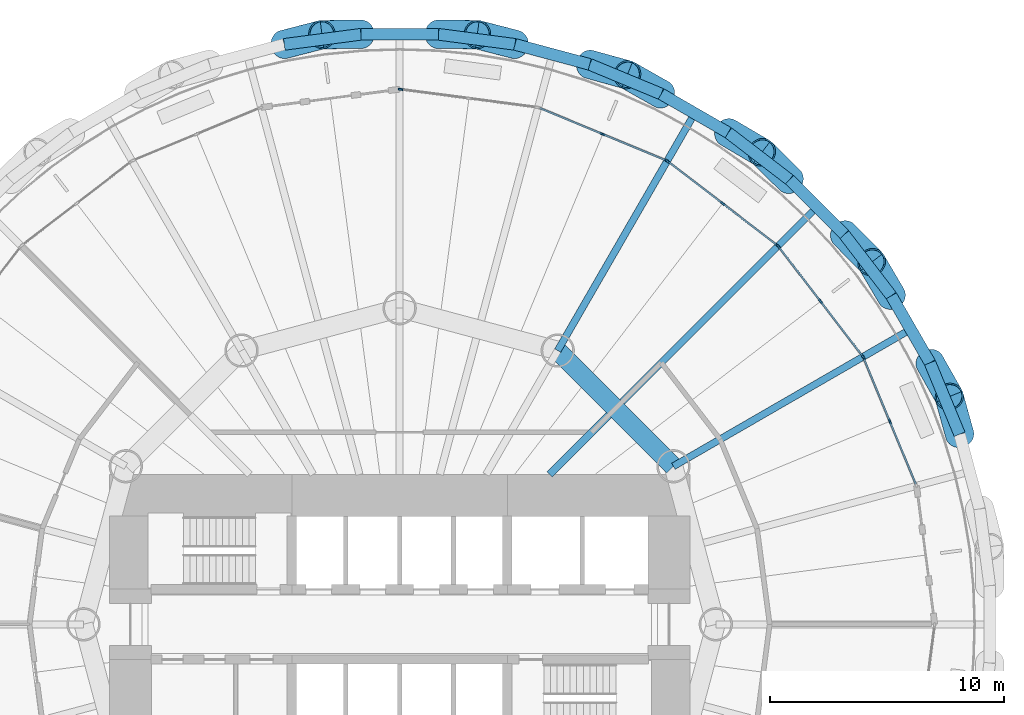
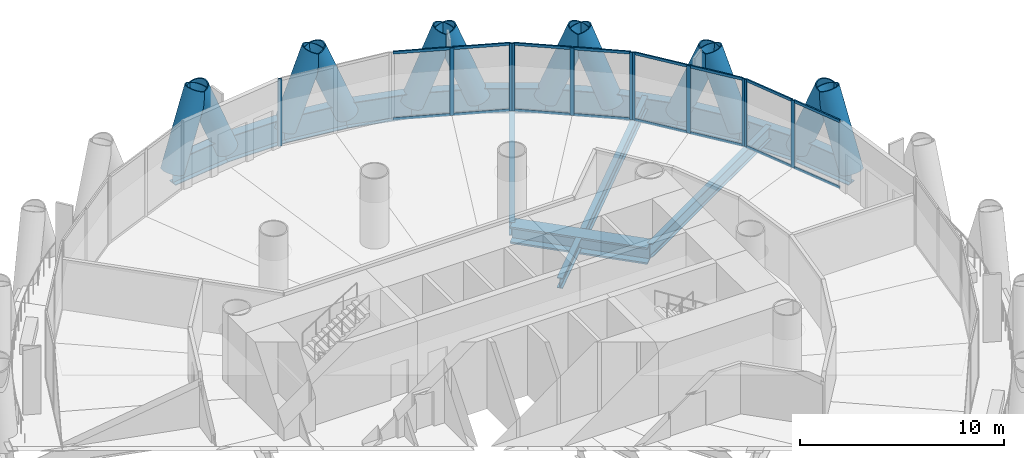
# One storey, part 7 of 16: 39 members, 16 beams, 5 elements without a shape of their own.
"""IFC4 building model written with IfcOpenShell, lengths in metres."""

from ifc_helpers import new_model, si_unit, direction, frame, origin, origin_2d, place, context, subcontext, project, spatial, rectangle, hollow_circle, i_section, extrude, material, material_profile, profile_set, type_object, element, aggregate, save


model = new_model("IFC4")

# Units and contexts
model_context = context("Model", 3, precision=1e-05, world=origin(), true_north=direction((0.0, 1.0)))
body_context = subcontext(model_context, "Body", "Model", "MODEL_VIEW")
ifc_project = project(units=[si_unit("LENGTHUNIT", "METRE"), si_unit("AREAUNIT", "SQUARE_METRE"), si_unit("VOLUMEUNIT", "CUBIC_METRE"), si_unit("PLANEANGLEUNIT", "RADIAN"), si_unit("MASSUNIT", "GRAM", prefix="KILO")], contexts=[model_context])

# Site, building, storey
site_placement = place(None, origin())
site = spatial("IfcSite", under=ifc_project, at=site_placement, CompositionType="ELEMENT")
building_placement = place(site_placement, origin())
building = spatial("IfcBuilding", under=site, at=building_placement, Name="Qaws Media Tower", CompositionType="ELEMENT")
storey_placement = place(building_placement, frame((0.0, 0.0, 63.800048828125)))
storey = spatial("IfcBuildingStorey", under=building, at=storey_placement, Name="L13", CompositionType="ELEMENT", Elevation=63.800048828125)

# Curtain wall, members
ifc_material_1 = material(Name="Aluminium and clear glass", Category="aluminium")
curtain_wall_type = type_object("IfcCurtainWallType", Name="Unitised curtain wall CW-A", PredefinedType="NOTDEFINED", material=ifc_material_1)
curtain_wall_1_placement = place(storey_placement, origin())
curtain_wall_1 = element("IfcCurtainWall", 1, at=curtain_wall_1_placement, inside=storey, type_object=curtain_wall_type, Name="CWA curtain wall L13-02", PredefinedType="NOTDEFINED")
ifc_material_2 = material(Name="Aluminium mullion", Category="aluminium")
ifc_material_profile_1 = material_profile(ifc_material_2, rectangle(XDim=0.080078125, YDim=0.199951171875, at=origin_2d()), Name="80x200")
ifc_profile_set_1 = profile_set([ifc_material_profile_1], Name="Aluminium mullion")
member_type_1 = type_object("IfcMemberType", Name="Curtain wall mullion 80x200", PredefinedType="MULLION", material=ifc_profile_set_1)
member_1_placement = place(storey_placement, frame((80.929931640625, 58.66943359375, 0.0), z_axis=(0.0, 0.0, 1.0), x_axis=(-0.923879516448, -0.382683471145, 0.0)))
member_1 = element("IfcMember", 2, at=member_1_placement, type_object=member_type_1, Name="CWA mullion 2", PredefinedType="MULLION", context=body_context, shape_type="SweptSolid", body=[
    extrude(rectangle(XDim=0.080078125, YDim=0.199951171875, at=origin_2d()), origin(), (0.0, 0.0, 1.0), 4.0400390625),
])
member_2_placement = place(storey_placement, frame((79.803955078125, 61.387939453125, 0.0), z_axis=(0.0, 0.0, 1.0), x_axis=(-0.923879516448, -0.382683471145, 0.0)))
member_2 = element("IfcMember", 3, at=member_2_placement, type_object=member_type_1, Name="CWA mullion 3", PredefinedType="MULLION", context=body_context, shape_type="SweptSolid", body=[
    extrude(rectangle(XDim=0.080078125, YDim=0.199951171875, at=origin_2d()), origin(), (0.0, 0.0, 1.0), 4.0400390625),
])

curtain_wall_2_placement = place(storey_placement, origin())
curtain_wall_2 = element("IfcCurtainWall", 4, at=curtain_wall_2_placement, inside=storey, type_object=curtain_wall_type, Name="CWA curtain wall L13-03", PredefinedType="NOTDEFINED")
member_3_placement = place(storey_placement, frame((79.764404296875, 61.456787109375, 0.0), z_axis=(0.0, 0.0, 1.0), x_axis=(-0.79335338601, -0.608761369427, 0.0)))
member_3 = element("IfcMember", 5, at=member_3_placement, type_object=member_type_1, Name="CWA mullion 1", PredefinedType="MULLION", context=body_context, shape_type="SweptSolid", body=[
    extrude(rectangle(XDim=0.080078125, YDim=0.199951171875, at=origin_2d()), origin(), (0.0, 0.0, 1.0), 4.0400390625),
])
member_4_placement = place(storey_placement, frame((77.97314453125, 63.791259765625, 0.0), z_axis=(0.0, 0.0, 1.0), x_axis=(-0.79335338601, -0.608761369427, 0.0)))
member_4 = element("IfcMember", 6, at=member_4_placement, type_object=member_type_1, Name="CWA mullion 2", PredefinedType="MULLION", context=body_context, shape_type="SweptSolid", body=[
    extrude(rectangle(XDim=0.080078125, YDim=0.199951171875, at=origin_2d()), origin(), (0.0, 0.0, 1.0), 4.0400390625),
])
member_5_placement = place(storey_placement, frame((76.181640625, 66.125732421875, 0.0), z_axis=(0.0, 0.0, 1.0), x_axis=(-0.79335338601, -0.608761369427, 0.0)))
member_5 = element("IfcMember", 7, at=member_5_placement, type_object=member_type_1, Name="CWA mullion 3", PredefinedType="MULLION", context=body_context, shape_type="SweptSolid", body=[
    extrude(rectangle(XDim=0.080078125, YDim=0.199951171875, at=origin_2d()), origin(), (0.0, 0.0, 1.0), 4.0400390625),
])

curtain_wall_3_placement = place(storey_placement, origin())
curtain_wall_3 = element("IfcCurtainWall", 8, at=curtain_wall_3_placement, inside=storey, type_object=curtain_wall_type, Name="CWA curtain wall L13-04", PredefinedType="NOTDEFINED")
member_6_placement = place(storey_placement, frame((76.125732421875, 66.181640625, 0.0), z_axis=(0.0, 0.0, 1.0), x_axis=(-0.608761369427, -0.79335338601, 0.0)))
member_6 = element("IfcMember", 9, at=member_6_placement, type_object=member_type_1, Name="CWA mullion 1", PredefinedType="MULLION", context=body_context, shape_type="SweptSolid", body=[
    extrude(rectangle(XDim=0.080078125, YDim=0.199951171875, at=origin_2d()), origin(), (0.0, 0.0, 1.0), 4.0400390625),
])
member_7_placement = place(storey_placement, frame((73.791259765625, 67.97314453125, 0.0), z_axis=(0.0, 0.0, 1.0), x_axis=(-0.608761369427, -0.79335338601, 0.0)))
member_7 = element("IfcMember", 10, at=member_7_placement, type_object=member_type_1, Name="CWA mullion 2", PredefinedType="MULLION", context=body_context, shape_type="SweptSolid", body=[
    extrude(rectangle(XDim=0.080078125, YDim=0.199951171875, at=origin_2d()), origin(), (0.0, 0.0, 1.0), 4.0400390625),
])
member_8_placement = place(storey_placement, frame((71.456787109375, 69.764404296875, 0.0), z_axis=(0.0, 0.0, 1.0), x_axis=(-0.608761369427, -0.79335338601, 0.0)))
member_8 = element("IfcMember", 11, at=member_8_placement, type_object=member_type_1, Name="CWA mullion 3", PredefinedType="MULLION", context=body_context, shape_type="SweptSolid", body=[
    extrude(rectangle(XDim=0.080078125, YDim=0.199951171875, at=origin_2d()), origin(), (0.0, 0.0, 1.0), 4.0400390625),
])

curtain_wall_4_placement = place(storey_placement, origin())
curtain_wall_4 = element("IfcCurtainWall", 12, at=curtain_wall_4_placement, inside=storey, type_object=curtain_wall_type, Name="CWA curtain wall L13-05", PredefinedType="NOTDEFINED")
member_9_placement = place(storey_placement, frame((71.387939453125, 69.803955078125, 0.0), z_axis=(0.0, 0.0, 1.0), x_axis=(-0.382683471145, -0.923879516448, 0.0)))
member_9 = element("IfcMember", 13, at=member_9_placement, type_object=member_type_1, Name="CWA mullion 1", PredefinedType="MULLION", context=body_context, shape_type="SweptSolid", body=[
    extrude(rectangle(XDim=0.080078125, YDim=0.199951171875, at=origin_2d()), origin(), (0.0, 0.0, 1.0), 4.0400390625),
])
member_10_placement = place(storey_placement, frame((68.66943359375, 70.929931640625, 0.0), z_axis=(0.0, 0.0, 1.0), x_axis=(-0.382683471145, -0.923879516448, 0.0)))
member_10 = element("IfcMember", 14, at=member_10_placement, type_object=member_type_1, Name="CWA mullion 2", PredefinedType="MULLION", context=body_context, shape_type="SweptSolid", body=[
    extrude(rectangle(XDim=0.080078125, YDim=0.199951171875, at=origin_2d()), origin(), (0.0, 0.0, 1.0), 4.0400390625),
])

# Curtain wall, member
curtain_wall_5_placement = place(storey_placement, origin())
curtain_wall_5 = element("IfcCurtainWall", 15, at=curtain_wall_5_placement, inside=storey, type_object=curtain_wall_type, Name="CWA curtain wall L13-06", PredefinedType="NOTDEFINED")
member_11_placement = place(storey_placement, frame((60.03955078125, 72.8447265625, 0.0), z_axis=(0.0, 0.0, 1.0), x_axis=(-0.130526217674, -0.991444858023, 0.0)))
member_11 = element("IfcMember", 16, at=member_11_placement, type_object=member_type_1, Name="CWA mullion 3", PredefinedType="MULLION", context=body_context, shape_type="SweptSolid", body=[
    extrude(rectangle(XDim=0.080078125, YDim=0.199951171875, at=origin_2d()), origin(), (0.0, 0.0, 1.0), 4.0400390625),
])
aggregate(curtain_wall_5, [member_11])

# Member
ifc_material_3 = material(Name="Aluminium transom", Category="aluminium")
ifc_material_profile_2 = material_profile(ifc_material_3, rectangle(XDim=0.080078125, YDim=0.159912109375, at=origin_2d()), Name="80x160")
ifc_profile_set_2 = profile_set([ifc_material_profile_2], Name="Aluminium transom")
member_type_2 = type_object("IfcMemberType", Name="Curtain wall transom 80x160", PredefinedType="USERDEFINED", material=ifc_profile_set_2)
member_12_placement = place(storey_placement, frame((82.040771484375, 55.988037109375, 0.0400390625), z_axis=(-0.382700809207, 0.923872334596, 0.0), x_axis=(-0.923872334596, -0.382700809207, 0.0)))
member_12 = element("IfcMember", 17, at=member_12_placement, type_object=member_type_2, Name="CWA transom 1.1", ObjectType="TRANSOM", PredefinedType="USERDEFINED", context=body_context, shape_type="SweptSolid", body=[
    extrude(rectangle(XDim=0.080078125, YDim=0.159912109375, at=origin_2d()), origin(), (0.0, 0.0, 1.0), 2.862548828125),
])

member_13_placement = place(storey_placement, frame((82.040771484375, 55.988037109375, 4.0), z_axis=(-0.382700809207, 0.923872334596, 0.0), x_axis=(-0.923872334596, -0.382700809207, 0.0)))
member_13 = element("IfcMember", 18, at=member_13_placement, type_object=member_type_2, Name="CWA transom 1.2", ObjectType="TRANSOM", PredefinedType="USERDEFINED", context=body_context, shape_type="SweptSolid", body=[
    extrude(rectangle(XDim=0.080078125, YDim=0.159912109375, at=origin_2d()), origin(), (0.0, 0.0, 1.0), 2.862548828125),
])

member_14_placement = place(storey_placement, frame((80.914794921875, 58.70654296875, 0.0400390625), z_axis=(-0.382700809207, 0.923872334596, 0.0), x_axis=(-0.923872334596, -0.382700809207, 0.0)))
member_14 = element("IfcMember", 19, at=member_14_placement, type_object=member_type_2, Name="CWA transom 2.1", ObjectType="TRANSOM", PredefinedType="USERDEFINED", context=body_context, shape_type="SweptSolid", body=[
    extrude(rectangle(XDim=0.080078125, YDim=0.159912109375, at=origin_2d()), origin(), (0.0, 0.0, 1.0), 2.862548828125),
])

member_15_placement = place(storey_placement, frame((80.914794921875, 58.70654296875, 4.0), z_axis=(-0.382700809207, 0.923872334596, 0.0), x_axis=(-0.923872334596, -0.382700809207, 0.0)))
member_15 = element("IfcMember", 20, at=member_15_placement, type_object=member_type_2, Name="CWA transom 2.2", ObjectType="TRANSOM", PredefinedType="USERDEFINED", context=body_context, shape_type="SweptSolid", body=[
    extrude(rectangle(XDim=0.080078125, YDim=0.159912109375, at=origin_2d()), origin(), (0.0, 0.0, 1.0), 2.862548828125),
])

aggregate(curtain_wall_1, [member_1, member_2, member_12, member_13, member_14, member_15])

member_16_placement = place(storey_placement, frame((79.739990234375, 61.488525390625, 0.0400390625), z_axis=(-0.608778840543, 0.793339979648, 0.0), x_axis=(-0.793339979648, -0.608778840543, 0.0)))
member_16 = element("IfcMember", 21, at=member_16_placement, type_object=member_type_2, Name="CWA transom 1.1", ObjectType="TRANSOM", PredefinedType="USERDEFINED", context=body_context, shape_type="SweptSolid", body=[
    extrude(rectangle(XDim=0.080078125, YDim=0.159912109375, at=origin_2d()), origin(), (0.0, 0.0, 1.0), 2.862548828125),
])

member_17_placement = place(storey_placement, frame((79.739990234375, 61.488525390625, 4.0), z_axis=(-0.608778840543, 0.793339979648, 0.0), x_axis=(-0.793339979648, -0.608778840543, 0.0)))
member_17 = element("IfcMember", 22, at=member_17_placement, type_object=member_type_2, Name="CWA transom 1.2", ObjectType="TRANSOM", PredefinedType="USERDEFINED", context=body_context, shape_type="SweptSolid", body=[
    extrude(rectangle(XDim=0.080078125, YDim=0.159912109375, at=origin_2d()), origin(), (0.0, 0.0, 1.0), 2.862548828125),
])

member_18_placement = place(storey_placement, frame((77.94873046875, 63.822998046875, 0.0400390625), z_axis=(-0.608778840543, 0.793339979648, 0.0), x_axis=(-0.793339979648, -0.608778840543, 0.0)))
member_18 = element("IfcMember", 23, at=member_18_placement, type_object=member_type_2, Name="CWA transom 2.1", ObjectType="TRANSOM", PredefinedType="USERDEFINED", context=body_context, shape_type="SweptSolid", body=[
    extrude(rectangle(XDim=0.080078125, YDim=0.159912109375, at=origin_2d()), origin(), (0.0, 0.0, 1.0), 2.862548828125),
])

member_19_placement = place(storey_placement, frame((77.94873046875, 63.822998046875, 4.0), z_axis=(-0.608778840543, 0.793339979648, 0.0), x_axis=(-0.793339979648, -0.608778840543, 0.0)))
member_19 = element("IfcMember", 24, at=member_19_placement, type_object=member_type_2, Name="CWA transom 2.2", ObjectType="TRANSOM", PredefinedType="USERDEFINED", context=body_context, shape_type="SweptSolid", body=[
    extrude(rectangle(XDim=0.080078125, YDim=0.159912109375, at=origin_2d()), origin(), (0.0, 0.0, 1.0), 2.862548828125),
])

aggregate(curtain_wall_2, [member_3, member_4, member_5, member_16, member_17, member_18, member_19])

member_20_placement = place(storey_placement, frame((76.093994140625, 66.2060546875, 0.0400390625), z_axis=(-0.793339979648, 0.608778840543, 0.0), x_axis=(-0.608778840543, -0.793339979648, 0.0)))
member_20 = element("IfcMember", 25, at=member_20_placement, type_object=member_type_2, Name="CWA transom 1.1", ObjectType="TRANSOM", PredefinedType="USERDEFINED", context=body_context, shape_type="SweptSolid", body=[
    extrude(rectangle(XDim=0.080078125, YDim=0.159912109375, at=origin_2d()), origin(), (0.0, 0.0, 1.0), 2.862548828125),
])

member_21_placement = place(storey_placement, frame((76.093994140625, 66.2060546875, 4.0), z_axis=(-0.793339979648, 0.608778840543, 0.0), x_axis=(-0.608778840543, -0.793339979648, 0.0)))
member_21 = element("IfcMember", 26, at=member_21_placement, type_object=member_type_2, Name="CWA transom 1.2", ObjectType="TRANSOM", PredefinedType="USERDEFINED", context=body_context, shape_type="SweptSolid", body=[
    extrude(rectangle(XDim=0.080078125, YDim=0.159912109375, at=origin_2d()), origin(), (0.0, 0.0, 1.0), 2.862548828125),
])

member_22_placement = place(storey_placement, frame((73.759521484375, 67.997314453125, 0.0400390625), z_axis=(-0.793339979648, 0.608778840543, 0.0), x_axis=(-0.608778840543, -0.793339979648, 0.0)))
member_22 = element("IfcMember", 27, at=member_22_placement, type_object=member_type_2, Name="CWA transom 2.1", ObjectType="TRANSOM", PredefinedType="USERDEFINED", context=body_context, shape_type="SweptSolid", body=[
    extrude(rectangle(XDim=0.080078125, YDim=0.159912109375, at=origin_2d()), origin(), (0.0, 0.0, 1.0), 2.862548828125),
])

member_23_placement = place(storey_placement, frame((73.759521484375, 67.997314453125, 4.0), z_axis=(-0.793339979648, 0.608778840543, 0.0), x_axis=(-0.608778840543, -0.793339979648, 0.0)))
member_23 = element("IfcMember", 28, at=member_23_placement, type_object=member_type_2, Name="CWA transom 2.2", ObjectType="TRANSOM", PredefinedType="USERDEFINED", context=body_context, shape_type="SweptSolid", body=[
    extrude(rectangle(XDim=0.080078125, YDim=0.159912109375, at=origin_2d()), origin(), (0.0, 0.0, 1.0), 2.862548828125),
])

aggregate(curtain_wall_3, [member_6, member_7, member_8, member_20, member_21, member_22, member_23])

member_24_placement = place(storey_placement, frame((71.35107421875, 69.8193359375, 0.0400390625), z_axis=(-0.923872334596, 0.382700809207, 0.0), x_axis=(-0.382700809207, -0.923872334596, 0.0)))
member_24 = element("IfcMember", 29, at=member_24_placement, type_object=member_type_2, Name="CWA transom 1.1", ObjectType="TRANSOM", PredefinedType="USERDEFINED", context=body_context, shape_type="SweptSolid", body=[
    extrude(rectangle(XDim=0.080078125, YDim=0.159912109375, at=origin_2d()), origin(), (0.0, 0.0, 1.0), 2.862548828125),
])

member_25_placement = place(storey_placement, frame((71.35107421875, 69.8193359375, 4.0), z_axis=(-0.923872334596, 0.382700809207, 0.0), x_axis=(-0.382700809207, -0.923872334596, 0.0)))
member_25 = element("IfcMember", 30, at=member_25_placement, type_object=member_type_2, Name="CWA transom 1.2", ObjectType="TRANSOM", PredefinedType="USERDEFINED", context=body_context, shape_type="SweptSolid", body=[
    extrude(rectangle(XDim=0.080078125, YDim=0.159912109375, at=origin_2d()), origin(), (0.0, 0.0, 1.0), 2.862548828125),
])

member_26_placement = place(storey_placement, frame((68.632568359375, 70.9453125, 0.0400390625), z_axis=(-0.923872334596, 0.382700809207, 0.0), x_axis=(-0.382700809207, -0.923872334596, 0.0)))
member_26 = element("IfcMember", 31, at=member_26_placement, type_object=member_type_2, Name="CWA transom 2.1", ObjectType="TRANSOM", PredefinedType="USERDEFINED", context=body_context, shape_type="SweptSolid", body=[
    extrude(rectangle(XDim=0.080078125, YDim=0.159912109375, at=origin_2d()), origin(), (0.0, 0.0, 1.0), 2.862548828125),
])

member_27_placement = place(storey_placement, frame((68.632568359375, 70.9453125, 4.0), z_axis=(-0.923872334596, 0.382700809207, 0.0), x_axis=(-0.382700809207, -0.923872334596, 0.0)))
member_27 = element("IfcMember", 32, at=member_27_placement, type_object=member_type_2, Name="CWA transom 2.2", ObjectType="TRANSOM", PredefinedType="USERDEFINED", context=body_context, shape_type="SweptSolid", body=[
    extrude(rectangle(XDim=0.080078125, YDim=0.159912109375, at=origin_2d()), origin(), (0.0, 0.0, 1.0), 2.862548828125),
])

aggregate(curtain_wall_4, [member_9, member_10, member_24, member_25, member_26, member_27])

# Members
ifc_material_4 = material(Name="Steel S460", Category="steel")
ifc_material_profile_3 = material_profile(ifc_material_4, hollow_circle(Radius=0.609619140625, WallThickness=0.06005859375, at=origin_2d()), Name="CHS 1219x60")
ifc_profile_set_3 = profile_set([ifc_material_profile_3], Name="Steel S460")
member_type_3 = type_object("IfcMemberType", Name="Diagrid member CHS 1219x60", PredefinedType="USERDEFINED", material=ifc_profile_set_3)
for number, where, z_axis, x_axis, name in (
    (33, (83.909912109375, 58.116455078125, -0.91015625), (-0.098136755558, 0.354989178007, 0.929705254748), (-0.96384720691, -0.266455553014, 0.0), "DG1 diagrid L13 A02"),
    (34, (80.99462890625, 64.028076171875, -0.91015625), (-0.186704389496, 0.317532559387, 0.929685185787), (-0.86202848257, -0.506859837862, 0.0), "DG1 diagrid L13 A03"),
    (35, (82.64599609375, 61.167724609375, -0.91015625), (0.1816287215, -0.320403656582, 0.929705600916), (0.869944554123, 0.493149544005, 0.0), "DG1 diagrid L13 B03"),
    (36, (76.6484375, 68.98388671875, -0.91015625), (-0.262473051655, 0.25836599958, 0.929706893282), (-0.701509113894, -0.712660482364, 0.0), "DG1 diagrid L13 A04"),
    (37, (78.98388671875, 66.6484375, -0.91015625), (0.25836599958, -0.262473051655, 0.929706893282), (0.712660482364, 0.701509113894, 0.0), "DG1 diagrid L13 B04"),
    (38, (71.167724609375, 72.64599609375, -0.91015625), (-0.320403656582, 0.1816287215, 0.929705600916), (-0.493149544005, -0.869944554123, 0.0), "DG1 diagrid L13 A05"),
    (39, (74.028076171875, 70.99462890625, -0.91015625), (0.317532559387, -0.186704389496, 0.929685185787), (0.506859837862, 0.86202848257, 0.0), "DG1 diagrid L13 B05"),
    (40, (64.926025390625, 74.764892578125, -0.91015625), (-0.356503177963, 0.09246277664, 0.929707544897), (-0.251053816316, -0.967973130471, 0.0), "DG1 diagrid L13 A06"),
    (41, (68.116455078125, 73.909912109375, -0.91015625), (0.354989178007, -0.098136755558, 0.929705254748), (0.266455553014, 0.96384720691, 0.0), "DG1 diagrid L13 B06"),
    (42, (58.3486328125, 75.196044921875, -0.91015625), (-0.368331015728, -0.002972154616, 0.929689963993), (0.008068986134, -0.999967445201, 0.0), "DG1 diagrid L13 A07"),
    (43, (61.6513671875, 75.196044921875, -0.91015625), (0.368331015728, -0.002972154616, 0.929689963993), (0.008068986134, 0.999967445201, 0.0), "DG1 diagrid L13 B07"),
    (44, (55.073974609375, 74.764892578125, -0.91015625), (0.356503177963, 0.09246277664, 0.929707544897), (-0.251053816316, 0.967973130471, 0.0), "DG1 diagrid L13 B08"),
):
    element("IfcMember", number, at=place(storey_placement, frame(where, z_axis=z_axis, x_axis=x_axis)), inside=storey, type_object=member_type_3, Name=name, ObjectType="DIAGRID", PredefinedType="USERDEFINED", context=body_context, shape_type="SweptSolid", body=[
        extrude(hollow_circle(Radius=0.609619140625, WallThickness=0.06005859375, at=origin_2d()), origin(), (0.0, 0.0, 1.0), 4.517822265625),
    ])

# Beams
ifc_material_5 = material(Name="Steel S460", Category="steel")
ifc_material_profile_4 = material_profile(ifc_material_5, i_section(OverallWidth=0.5, OverallDepth=1.5, WebThickness=0.02001953125, FlangeThickness=0.0400390625, at=origin_2d()), Name="PG 1500x500")
ifc_profile_set_4 = profile_set([ifc_material_profile_4], Name="Steel S460")
beam_type_1 = type_object("IfcBeamType", Name="Edge ring beam PG 1500x500", PredefinedType="BEAM", material=ifc_profile_set_4)
for number, where, z_axis, x_axis, name in (
    (45, (83.909912109375, 58.116455078125, -0.91015625), (-0.382693458177, 0.92387537962, 0.0), (-0.92387537962, -0.382693458177, 0.0), "RB4 edge ring beam L13-03"),
    (46, (82.64599609375, 61.167724609375, -0.91015625), (-0.499986929959, 0.866032949645, 0.0), (-0.866032949645, -0.499986929959, 0.0), "RB4 edge ring beam L13-04"),
):
    element("IfcBeam", number, at=place(storey_placement, frame(where, z_axis=z_axis, x_axis=x_axis)), inside=storey, type_object=beam_type_1, Name=name, PredefinedType="BEAM", context=body_context, shape_type="SweptSolid", body=[
        extrude(i_section(OverallWidth=0.5, OverallDepth=1.5, WebThickness=0.02001953125, FlangeThickness=0.0400390625, at=origin_2d()), origin(), (0.0, 0.0, 1.0), 3.302734375),
    ])
beam_1_placement = place(storey_placement, frame((80.99462890625, 64.028076171875, -0.91015625), z_axis=(-0.608774429392, 0.793343364577, 0.0), x_axis=(-0.793343364577, -0.608774429392, 0.0)))
element("IfcBeam", 47, at=beam_1_placement, inside=storey, type_object=beam_type_1, Name="RB4 edge ring beam L13-05", PredefinedType="BEAM", context=body_context, shape_type="SweptSolid", body=[
    extrude(i_section(OverallWidth=0.5, OverallDepth=1.5, WebThickness=0.02001953125, FlangeThickness=0.0400390625, at=origin_2d()), origin(), (0.0, 0.0, 1.0), 3.302978515625),
])
beam_2_placement = place(storey_placement, frame((78.98388671875, 66.6484375, -0.91015625), z_axis=(-0.707106781187, 0.707106781187, 0.0), x_axis=(-0.707106781187, -0.707106781187, 0.0)))
element("IfcBeam", 48, at=beam_2_placement, inside=storey, type_object=beam_type_1, Name="RB4 edge ring beam L13-06", PredefinedType="BEAM", context=body_context, shape_type="SweptSolid", body=[
    extrude(i_section(OverallWidth=0.5, OverallDepth=1.5, WebThickness=0.02001953125, FlangeThickness=0.0400390625, at=origin_2d()), origin(), (0.0, 0.0, 1.0), 3.302734375),
])
beam_3_placement = place(storey_placement, frame((76.6484375, 68.98388671875, -0.91015625), z_axis=(-0.793343364577, 0.608774429392, 0.0), x_axis=(-0.608774429392, -0.793343364577, 0.0)))
element("IfcBeam", 49, at=beam_3_placement, inside=storey, type_object=beam_type_1, Name="RB4 edge ring beam L13-07", PredefinedType="BEAM", context=body_context, shape_type="SweptSolid", body=[
    extrude(i_section(OverallWidth=0.5, OverallDepth=1.5, WebThickness=0.02001953125, FlangeThickness=0.0400390625, at=origin_2d()), origin(), (0.0, 0.0, 1.0), 3.302978515625),
])
for number, where, z_axis, x_axis, name in (
    (50, (74.028076171875, 70.99462890625, -0.91015625), (-0.866032949645, 0.499986929959, 0.0), (-0.499986929959, -0.866032949645, 0.0), "RB4 edge ring beam L13-08"),
    (51, (71.167724609375, 72.64599609375, -0.91015625), (-0.92387537962, 0.382693458177, 0.0), (-0.382693458177, -0.92387537962, 0.0), "RB4 edge ring beam L13-09"),
):
    element("IfcBeam", number, at=place(storey_placement, frame(where, z_axis=z_axis, x_axis=x_axis)), inside=storey, type_object=beam_type_1, Name=name, PredefinedType="BEAM", context=body_context, shape_type="SweptSolid", body=[
        extrude(i_section(OverallWidth=0.5, OverallDepth=1.5, WebThickness=0.02001953125, FlangeThickness=0.0400390625, at=origin_2d()), origin(), (0.0, 0.0, 1.0), 3.302734375),
    ])
for number, where, z_axis, x_axis, name in (
    (52, (68.116455078125, 73.909912109375, -0.91015625), (-0.965917696055, 0.258849385643, 0.0), (-0.258849385643, -0.965917696055, 0.0), "RB4 edge ring beam L13-10"),
    (53, (64.926025390625, 74.764892578125, -0.91015625), (-0.991443473841, 0.130536731142, 0.0), (-0.130536731142, -0.991443473841, 0.0), "RB4 edge ring beam L13-11"),
):
    element("IfcBeam", number, at=place(storey_placement, frame(where, z_axis=z_axis, x_axis=x_axis)), inside=storey, type_object=beam_type_1, Name=name, PredefinedType="BEAM", context=body_context, shape_type="SweptSolid", body=[
        extrude(i_section(OverallWidth=0.5, OverallDepth=1.5, WebThickness=0.02001953125, FlangeThickness=0.0400390625, at=origin_2d()), origin(), (0.0, 0.0, 1.0), 3.302978515625),
    ])
beam_4_placement = place(storey_placement, frame((61.6513671875, 75.196044921875, -0.91015625), z_axis=(-1.0, 0.0, 0.0), x_axis=(0.0, -1.0, 0.0)))
element("IfcBeam", 54, at=beam_4_placement, inside=storey, type_object=beam_type_1, Name="RB4 edge ring beam L13-12", PredefinedType="BEAM", context=body_context, shape_type="SweptSolid", body=[
    extrude(i_section(OverallWidth=0.5, OverallDepth=1.5, WebThickness=0.02001953125, FlangeThickness=0.0400390625, at=origin_2d()), origin(), (0.0, 0.0, 1.0), 3.302734375),
])
beam_5_placement = place(storey_placement, frame((58.3486328125, 75.196044921875, -0.91015625), z_axis=(-0.991443473841, -0.130536731142, 0.0), x_axis=(0.130536731142, -0.991443473841, 0.0)))
element("IfcBeam", 55, at=beam_5_placement, inside=storey, type_object=beam_type_1, Name="RB4 edge ring beam L13-13", PredefinedType="BEAM", context=body_context, shape_type="SweptSolid", body=[
    extrude(i_section(OverallWidth=0.5, OverallDepth=1.5, WebThickness=0.02001953125, FlangeThickness=0.0400390625, at=origin_2d()), origin(), (0.0, 0.0, 1.0), 3.302978515625),
])
ifc_material_6 = material(Name="Steel S460", Category="steel")
ifc_material_profile_5 = material_profile(ifc_material_6, i_section(OverallWidth=0.800048828125, OverallDepth=1.0, WebThickness=0.0400390625, FlangeThickness=0.10009765625, at=origin_2d()), Name="PG 1000x800")
ifc_profile_set_5 = profile_set([ifc_material_profile_5], Name="Steel S460")
beam_type_2 = type_object("IfcBeamType", Name="Inner ring girder PG 1000x800", PredefinedType="BEAM", material=ifc_profile_set_5)
beam_6_placement = place(storey_placement, frame((71.69140625, 56.75, -0.66015625), z_axis=(-0.707106781187, 0.707106781187, 0.0), x_axis=(-0.707106781187, -0.707106781187, 0.0)))
element("IfcBeam", 56, at=beam_6_placement, inside=storey, type_object=beam_type_2, Name="B3 inner ring beam L13 I02-I03", PredefinedType="BEAM", context=body_context, shape_type="SweptSolid", body=[
    extrude(i_section(OverallWidth=0.800048828125, OverallDepth=1.0, WebThickness=0.0400390625, FlangeThickness=0.10009765625, at=origin_2d()), origin(), (0.0, 0.0, 1.0), 6.98828125),
])
ifc_material_7 = material(Name="Steel S355", Category="steel")
ifc_material_profile_6 = material_profile(ifc_material_7, i_section(OverallWidth=0.304931640625, OverallDepth=0.6201171875, WebThickness=0.02099609375, FlangeThickness=0.0400390625, FilletRadius=0.027099609375, at=origin_2d()), Name="HE 600 M")
ifc_profile_set_6 = profile_set([ifc_material_profile_6], Name="Steel S355")
beam_type_3 = type_object("IfcBeamType", Name="Radial beam HE 600 M, core side", PredefinedType="BEAM", material=ifc_profile_set_6)
beam_7_placement = place(storey_placement, frame((66.39990234375, 56.39990234375, -0.469970703125), z_axis=(0.707106781187, 0.707106781187, 0.0), x_axis=(-0.707106781187, 0.707106781187, 0.0)))
element("IfcBeam", 57, at=beam_7_placement, inside=storey, type_object=beam_type_3, Name="B2 radial beam L13 04", PredefinedType="BEAM", context=body_context, shape_type="SweptSolid", body=[
    extrude(i_section(OverallWidth=0.304931640625, OverallDepth=0.6201171875, WebThickness=0.02099609375, FlangeThickness=0.0400390625, FilletRadius=0.027099609375, at=origin_2d()), origin(), (0.0, 0.0, 1.0), 3.589111328125),
])
ifc_material_8 = material(Name="Steel S355", Category="steel")
ifc_material_profile_7 = material_profile(ifc_material_8, i_section(OverallWidth=0.300048828125, OverallDepth=0.800048828125, WebThickness=0.017578125, FlangeThickness=0.032958984375, FilletRadius=0.030029296875, at=origin_2d()), Name="HE 800 B")
ifc_profile_set_7 = profile_set([ifc_material_profile_7], Name="Steel S355")
beam_type_4 = type_object("IfcBeamType", Name="Radial beam HE 800 B", PredefinedType="BEAM", material=ifc_profile_set_7)
beam_8_placement = place(storey_placement, frame((71.69140625, 56.75, -0.56005859375), z_axis=(0.866026379682, 0.499998309692, 0.0), x_axis=(-0.499998309692, 0.866026379682, 0.0)))
element("IfcBeam", 58, at=beam_8_placement, inside=storey, type_object=beam_type_4, Name="B1 radial beam L13 03", PredefinedType="BEAM", context=body_context, shape_type="SweptSolid", body=[
    extrude(i_section(OverallWidth=0.300048828125, OverallDepth=0.800048828125, WebThickness=0.017578125, FlangeThickness=0.032958984375, FilletRadius=0.030029296875, at=origin_2d()), origin(), (0.0, 0.0, 1.0), 11.69580078125),
])
beam_9_placement = place(storey_placement, frame((69.50341796875, 59.50341796875, -0.56005859375), z_axis=(0.707106781187, 0.707106781187, 0.0), x_axis=(-0.707106781187, 0.707106781187, 0.0)))
element("IfcBeam", 59, at=beam_9_placement, inside=storey, type_object=beam_type_4, Name="B1 radial beam L13 04", PredefinedType="BEAM", context=body_context, shape_type="SweptSolid", body=[
    extrude(i_section(OverallWidth=0.300048828125, OverallDepth=0.800048828125, WebThickness=0.017578125, FlangeThickness=0.032958984375, FilletRadius=0.030029296875, at=origin_2d()), origin(), (0.0, 0.0, 1.0), 11.756103515625),
])
beam_10_placement = place(storey_placement, frame((66.75, 61.69140625, -0.56005859375), z_axis=(0.499998309692, 0.866026379682, 0.0), x_axis=(-0.866026379682, 0.499998309692, 0.0)))
element("IfcBeam", 60, at=beam_10_placement, inside=storey, type_object=beam_type_4, Name="B1 radial beam L13 05", PredefinedType="BEAM", context=body_context, shape_type="SweptSolid", body=[
    extrude(i_section(OverallWidth=0.300048828125, OverallDepth=0.800048828125, WebThickness=0.017578125, FlangeThickness=0.032958984375, FilletRadius=0.030029296875, at=origin_2d()), origin(), (0.0, 0.0, 1.0), 11.69580078125),
])

save(model, "model.ifc")
